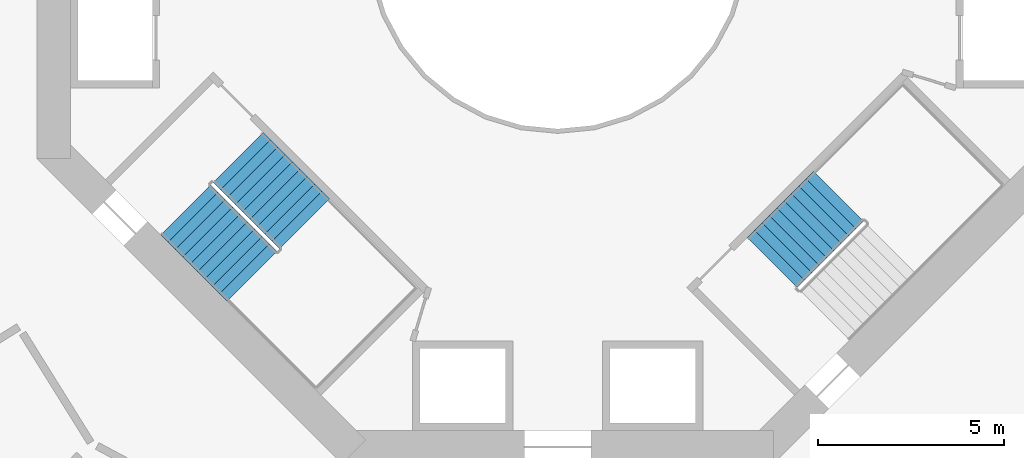
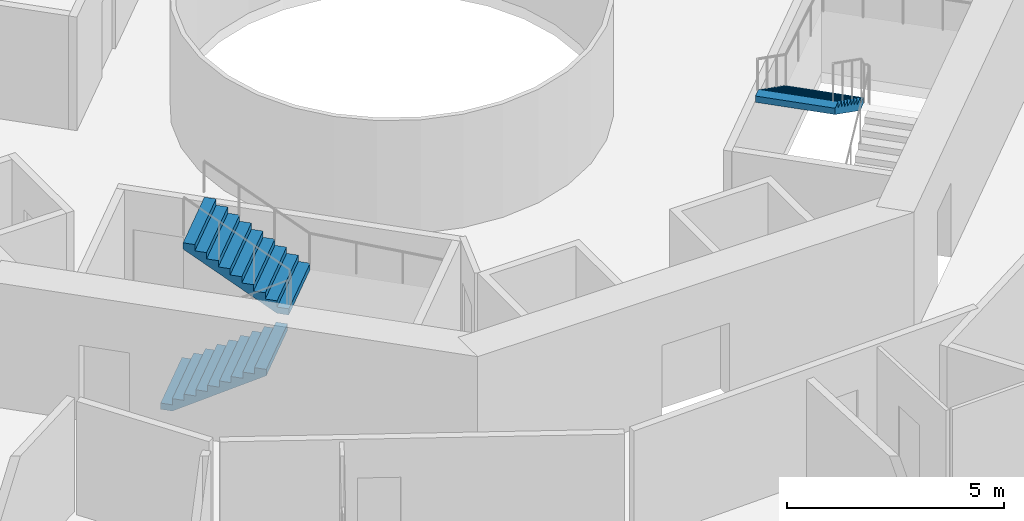
# One storey, part 25 of 27: 3 stair flights, 2 elements without a shape of their own.
"""IFC4 building model written with IfcOpenShell, lengths in metres."""

from ifc_helpers import new_model, si_unit, direction, frame, origin, place, context, subcontext, project, spatial, triangles, material, type_object, element, aggregate, save


model = new_model("IFC4")

# Units and contexts
model_context = context("Model", 3, precision=1e-05, world=origin(), true_north=direction((0.0, 1.0)))
body_context = subcontext(model_context, "Body", "Model", "MODEL_VIEW")
ifc_project = project(units=[si_unit("LENGTHUNIT", "METRE"), si_unit("AREAUNIT", "SQUARE_METRE"), si_unit("VOLUMEUNIT", "CUBIC_METRE"), si_unit("PLANEANGLEUNIT", "RADIAN"), si_unit("MASSUNIT", "GRAM", prefix="KILO")], contexts=[model_context])

# Site, building, storey
site_placement = place(None, origin())
site = spatial("IfcSite", under=ifc_project, at=site_placement, CompositionType="ELEMENT")
building_placement = place(site_placement, origin())
building = spatial("IfcBuilding", under=site, at=building_placement, Name="Verdalira Terraces Hotel", CompositionType="ELEMENT")
storey_placement = place(building_placement, frame((0.0, 0.0, 42.5)))
storey = spatial("IfcBuildingStorey", under=building, at=storey_placement, Name="L08", CompositionType="ELEMENT", Elevation=42.5)

# Stair, stair flights
ifc_material_1 = material(Name="Concrete C40", Category="concrete")
stair_type = type_object("IfcStairType", Name="Core stair 20 risers 1900 mm wide", PredefinedType="HALF_TURN_STAIR", material=ifc_material_1)
stair_1_placement = place(storey_placement, origin())
stair_1 = element("IfcStair", 1, at=stair_1_placement, inside=storey, type_object=stair_type, Name="L08 Exit stair ST2", PredefinedType="HALF_TURN_STAIR")
ifc_material_2 = material(Name="Concrete C40", Category="concrete")
stair_flight_type = type_object("IfcStairFlightType", Name="Core stair flight 20 risers 1900 mm wide", PredefinedType="STRAIGHT", material=ifc_material_2)
stair_flight_1_placement = place(storey_placement, frame((-10.005615, -7.177246, 0.0), z_axis=(0.0, 0.0, 1.0), x_axis=(0.707106781, -0.707106781, 0.0)))
stair_flight_1 = element("IfcStairFlight", 2, at=stair_flight_1_placement, type_object=stair_flight_type, Name="ST2 flight 1", NumberOfRisers=10, NumberOfTreads=9, PredefinedType="STRAIGHT", RiserHeight=0.175, TreadLength=0.28, context=body_context, shape_type="Tessellation", body=[
    triangles([(0.0, 0.949951, 0.0), (0.282715, 0.949951, 0.0), (2.52002, 0.949951, 1.398193), (0.0, -0.949951, 0.0), (0.282715, -0.949951, 0.0), (2.52002, -0.949951, 1.398193), (2.52002, 0.949951, 1.574951), (2.23999, 0.949951, 1.574951), (2.52002, -0.949951, 1.574951), (2.23999, -0.949951, 1.574951), (2.23999, 0.949951, 1.399902), (2.23999, -0.949951, 1.399902), (1.959961, 0.949951, 1.399902), (1.959961, -0.949951, 1.399902), (1.959961, 0.949951, 1.225098), (1.959961, -0.949951, 1.225098), (1.679932, 0.949951, 1.225098), (1.679932, 0.949951, 1.050049), (1.679932, -0.949951, 1.225098), (1.679932, -0.949951, 1.050049), (1.399902, 0.949951, 1.050049), (1.399902, 0.949951, 0.875), (1.399902, -0.949951, 1.050049), (1.399902, -0.949951, 0.875), (1.120117, 0.949951, 0.875), (1.120117, 0.949951, 0.699951), (1.120117, -0.949951, 0.875), (1.120117, -0.949951, 0.699951), (0.840088, 0.949951, 0.699951), (0.840088, 0.949951, 0.524902), (0.840088, -0.949951, 0.699951), (0.840088, -0.949951, 0.524902), (0.560059, 0.949951, 0.524902), (0.560059, 0.949951, 0.350098), (0.560059, -0.949951, 0.524902), (0.560059, -0.949951, 0.350098), (0.280029, 0.949951, 0.350098), (0.280029, 0.949951, 0.175049), (0.280029, -0.949951, 0.350098), (0.280029, -0.949951, 0.175049), (0.0, 0.949951, 0.175049), (0.0, -0.949951, 0.175049), (0.0, -0.890579, 0.0), (0.0, -0.890579, 0.175049), (0.0, -0.831207, 0.0), (0.0, -0.831207, 0.175049), (0.0, -0.771835, 0.0), (0.0, -0.771835, 0.175049), (0.0, -0.712463, 0.0), (0.0, -0.712463, 0.175049), (0.0, -0.653091, 0.0), (0.0, -0.653091, 0.175049), (0.0, -0.593719, 0.0), (0.0, -0.593719, 0.175049), (0.0, -0.534348, 0.0), (0.0, -0.534348, 0.175049), (0.0, -0.474976, 0.0), (0.0, -0.474976, 0.175049), (0.0, -0.415604, 0.0), (0.0, -0.415604, 0.175049), (0.0, -0.356232, 0.0), (0.0, -0.356232, 0.175049), (0.0, -0.29686, 0.0), (0.0, -0.29686, 0.175049), (0.0, -0.237488, 0.0), (0.0, -0.237488, 0.175049), (0.0, -0.178116, 0.0), (0.0, -0.178116, 0.175049), (0.0, -0.118744, 0.0), (0.0, -0.118744, 0.175049), (0.0, -0.059372, 0.0), (0.0, -0.059372, 0.175049), (0.0, 0.0, 0.0), (0.0, 0.0, 0.175049), (0.0, 0.059372, 0.0), (0.0, 0.059372, 0.175049), (0.0, 0.118744, 0.0), (0.0, 0.118744, 0.175049), (0.0, 0.178116, 0.0), (0.0, 0.178116, 0.175049), (0.0, 0.237488, 0.0), (0.0, 0.237488, 0.175049), (0.0, 0.29686, 0.0), (0.0, 0.29686, 0.175049), (0.0, 0.356232, 0.0), (0.0, 0.356232, 0.175049), (0.0, 0.415604, 0.0), (0.0, 0.415604, 0.175049), (0.0, 0.474976, 0.0), (0.0, 0.474976, 0.175049), (0.0, 0.534348, 0.0), (0.0, 0.534348, 0.175049), (0.0, 0.593719, 0.0), (0.0, 0.593719, 0.175049), (0.0, 0.653091, 0.0), (0.0, 0.653091, 0.175049), (0.0, 0.712463, 0.0), (0.0, 0.712463, 0.175049), (0.0, 0.771835, 0.0), (0.0, 0.771835, 0.175049), (0.0, 0.831207, 0.0), (0.0, 0.831207, 0.175049), (0.0, 0.890579, 0.0), (0.0, 0.890579, 0.175049), (2.52002, -0.890579, 1.574951), (2.52002, -0.831207, 1.574951), (2.52002, -0.771835, 1.574951), (2.52002, -0.712463, 1.574951), (2.52002, -0.653091, 1.574951), (2.52002, -0.593719, 1.574951), (2.52002, -0.534348, 1.574951), (2.52002, -0.474976, 1.574951), (2.52002, -0.415604, 1.574951), (2.52002, -0.356232, 1.574951), (2.52002, -0.29686, 1.574951), (2.52002, -0.237488, 1.574951), (2.52002, -0.178116, 1.574951), (2.52002, -0.118744, 1.574951), (2.52002, -0.059372, 1.574951), (2.52002, 0.0, 1.574951), (2.52002, 0.059372, 1.574951), (2.52002, 0.118744, 1.574951), (2.52002, 0.178116, 1.574951), (2.52002, 0.237488, 1.574951), (2.52002, 0.29686, 1.574951), (2.52002, 0.356232, 1.574951), (2.52002, 0.415604, 1.574951), (2.52002, 0.474976, 1.574951), (2.52002, 0.534348, 1.574951), (2.52002, 0.593719, 1.574951), (2.52002, 0.653091, 1.574951), (2.52002, 0.712463, 1.574951), (2.52002, 0.771835, 1.574951), (2.52002, 0.831207, 1.574951), (2.52002, 0.890579, 1.574951), (2.52002, -0.890579, 1.398193), (2.52002, -0.831207, 1.398193), (2.52002, -0.771835, 1.398193), (2.52002, -0.712463, 1.398193), (2.52002, -0.653091, 1.398193), (2.52002, -0.593719, 1.398193), (2.52002, -0.534348, 1.398193), (2.52002, -0.474976, 1.398193), (2.52002, -0.415604, 1.398193), (2.52002, -0.356232, 1.398193), (2.52002, -0.29686, 1.398193), (2.52002, -0.237488, 1.398193), (2.52002, -0.178116, 1.398193), (2.52002, -0.118744, 1.398193), (2.52002, -0.059372, 1.398193), (2.52002, 0.0, 1.398193), (2.52002, 0.059372, 1.398193), (2.52002, 0.118744, 1.398193), (2.52002, 0.178116, 1.398193), (2.52002, 0.237488, 1.398193), (2.52002, 0.29686, 1.398193), (2.52002, 0.356232, 1.398193), (2.52002, 0.415604, 1.398193), (2.52002, 0.474976, 1.398193), (2.52002, 0.534348, 1.398193), (2.52002, 0.593719, 1.398193), (2.52002, 0.653091, 1.398193), (2.52002, 0.712463, 1.398193), (2.52002, 0.771835, 1.398193), (2.52002, 0.831207, 1.398193), (2.52002, 0.890579, 1.398193)], [[1, 3, 2], [4, 5, 6], [3, 8, 7], [6, 9, 10], [3, 11, 8], [6, 10, 12], [3, 13, 11], [6, 12, 14], [3, 15, 13], [6, 14, 16], [15, 18, 17], [16, 19, 20], [3, 18, 15], [6, 16, 20], [18, 22, 21], [20, 23, 24], [3, 22, 18], [6, 20, 24], [22, 26, 25], [24, 27, 28], [3, 26, 22], [6, 24, 28], [26, 30, 29], [28, 31, 32], [3, 30, 26], [6, 28, 32], [1, 30, 3], [4, 6, 32], [30, 34, 33], [32, 35, 36], [34, 38, 37], [36, 39, 40], [30, 38, 34], [32, 36, 40], [1, 38, 30], [4, 32, 40], [38, 1, 41], [40, 42, 4], [4, 44, 43], [4, 42, 44], [43, 46, 45], [43, 44, 46], [45, 48, 47], [45, 46, 48], [47, 50, 49], [47, 48, 50], [49, 52, 51], [49, 50, 52], [51, 54, 53], [51, 52, 54], [53, 56, 55], [53, 54, 56], [55, 58, 57], [55, 56, 58], [57, 60, 59], [57, 58, 60], [59, 62, 61], [59, 60, 62], [61, 64, 63], [61, 62, 64], [63, 66, 65], [63, 64, 66], [65, 68, 67], [65, 66, 68], [67, 70, 69], [67, 68, 70], [69, 72, 71], [69, 70, 72], [71, 74, 73], [71, 72, 74], [73, 76, 75], [73, 74, 76], [75, 78, 77], [75, 76, 78], [77, 80, 79], [77, 78, 80], [79, 82, 81], [79, 80, 82], [81, 84, 83], [81, 82, 84], [83, 86, 85], [83, 84, 86], [85, 88, 87], [85, 86, 88], [87, 90, 89], [87, 88, 90], [89, 92, 91], [89, 90, 92], [91, 94, 93], [91, 92, 94], [93, 96, 95], [93, 94, 96], [95, 98, 97], [95, 96, 98], [97, 100, 99], [97, 98, 100], [99, 102, 101], [99, 100, 102], [101, 104, 103], [101, 102, 104], [103, 41, 1], [103, 104, 41], [42, 40, 44], [44, 40, 46], [46, 40, 48], [48, 40, 50], [50, 40, 52], [52, 40, 54], [54, 40, 56], [56, 40, 58], [58, 40, 60], [60, 40, 62], [62, 40, 64], [64, 40, 66], [66, 40, 68], [68, 40, 70], [70, 40, 72], [72, 40, 74], [74, 40, 76], [76, 40, 78], [78, 40, 80], [80, 40, 82], [82, 40, 84], [84, 40, 86], [86, 40, 88], [88, 40, 90], [90, 40, 92], [92, 40, 94], [94, 40, 96], [96, 40, 98], [98, 40, 100], [100, 40, 102], [102, 40, 104], [104, 40, 41], [41, 40, 38], [40, 37, 38], [40, 39, 37], [39, 34, 37], [39, 36, 34], [36, 33, 34], [36, 35, 33], [35, 30, 33], [35, 32, 30], [32, 29, 30], [32, 31, 29], [31, 26, 29], [31, 28, 26], [28, 25, 26], [28, 27, 25], [27, 22, 25], [27, 24, 22], [24, 21, 22], [24, 23, 21], [23, 18, 21], [23, 20, 18], [20, 17, 18], [20, 19, 17], [19, 15, 17], [19, 16, 15], [16, 13, 15], [16, 14, 13], [14, 11, 13], [14, 12, 11], [12, 8, 11], [12, 10, 8], [9, 105, 10], [105, 106, 10], [106, 107, 10], [107, 108, 10], [108, 109, 10], [109, 110, 10], [110, 111, 10], [111, 112, 10], [112, 113, 10], [113, 114, 10], [114, 115, 10], [115, 116, 10], [116, 117, 10], [117, 118, 10], [118, 119, 10], [119, 120, 10], [120, 121, 10], [121, 122, 10], [122, 123, 10], [123, 124, 10], [124, 125, 10], [125, 126, 10], [126, 127, 10], [127, 128, 10], [128, 129, 10], [129, 130, 10], [130, 131, 10], [131, 132, 10], [132, 133, 10], [133, 134, 10], [134, 135, 10], [135, 7, 10], [7, 8, 10], [9, 136, 105], [9, 6, 136], [105, 137, 106], [105, 136, 137], [106, 138, 107], [106, 137, 138], [107, 139, 108], [107, 138, 139], [108, 140, 109], [108, 139, 140], [109, 141, 110], [109, 140, 141], [110, 142, 111], [110, 141, 142], [111, 143, 112], [111, 142, 143], [112, 144, 113], [112, 143, 144], [113, 145, 114], [113, 144, 145], [114, 146, 115], [114, 145, 146], [115, 147, 116], [115, 146, 147], [116, 148, 117], [116, 147, 148], [117, 149, 118], [117, 148, 149], [118, 150, 119], [118, 149, 150], [119, 151, 120], [119, 150, 151], [120, 152, 121], [120, 151, 152], [121, 153, 122], [121, 152, 153], [122, 154, 123], [122, 153, 154], [123, 155, 124], [123, 154, 155], [124, 156, 125], [124, 155, 156], [125, 157, 126], [125, 156, 157], [126, 158, 127], [126, 157, 158], [127, 159, 128], [127, 158, 159], [128, 160, 129], [128, 159, 160], [129, 161, 130], [129, 160, 161], [130, 162, 131], [130, 161, 162], [131, 163, 132], [131, 162, 163], [132, 164, 133], [132, 163, 164], [133, 165, 134], [133, 164, 165], [134, 166, 135], [134, 165, 166], [135, 3, 7], [135, 166, 3], [6, 5, 136], [136, 5, 137], [137, 5, 138], [138, 5, 139], [139, 5, 140], [140, 5, 141], [141, 5, 142], [142, 5, 143], [143, 5, 144], [144, 5, 145], [145, 5, 146], [146, 5, 147], [147, 5, 148], [148, 5, 149], [149, 5, 150], [150, 5, 151], [151, 5, 152], [152, 5, 153], [153, 5, 154], [154, 5, 155], [155, 5, 156], [156, 5, 157], [157, 5, 158], [158, 5, 159], [159, 5, 160], [160, 5, 161], [161, 5, 162], [162, 5, 163], [163, 5, 164], [164, 5, 165], [165, 5, 166], [166, 5, 3], [3, 5, 2], [4, 43, 5], [43, 45, 5], [45, 47, 5], [47, 49, 5], [49, 51, 5], [51, 53, 5], [53, 55, 5], [55, 57, 5], [57, 59, 5], [59, 61, 5], [61, 63, 5], [63, 65, 5], [65, 67, 5], [67, 69, 5], [69, 71, 5], [71, 73, 5], [73, 75, 5], [75, 77, 5], [77, 79, 5], [79, 81, 5], [81, 83, 5], [83, 85, 5], [85, 87, 5], [87, 89, 5], [89, 91, 5], [91, 93, 5], [93, 95, 5], [95, 97, 5], [97, 99, 5], [99, 101, 5], [101, 103, 5], [103, 1, 5], [1, 2, 5]], closed=True),
])
stair_flight_2_placement = place(storey_placement, frame((-6.809326, -7.544922, 1.75), z_axis=(0.0, 0.0, 1.0), x_axis=(-0.707106781, 0.707106781, 0.0)))
stair_flight_2 = element("IfcStairFlight", 3, at=stair_flight_2_placement, type_object=stair_flight_type, Name="ST2 flight 2", NumberOfRisers=10, NumberOfTreads=9, PredefinedType="STRAIGHT", RiserHeight=0.175, TreadLength=0.28, context=body_context, shape_type="Tessellation", body=[
    triangles([(0.0, 0.949951, 0.0), (0.282715, 0.949951, 0.0), (2.52002, 0.949951, 1.398193), (0.0, -0.949951, 0.0), (0.282715, -0.949951, 0.0), (2.52002, -0.949951, 1.398193), (2.52002, 0.949951, 1.574951), (2.23999, 0.949951, 1.574951), (2.52002, -0.949951, 1.574951), (2.23999, -0.949951, 1.574951), (2.23999, 0.949951, 1.399902), (2.23999, -0.949951, 1.399902), (1.959961, 0.949951, 1.399902), (1.959961, -0.949951, 1.399902), (1.959961, 0.949951, 1.225098), (1.959961, -0.949951, 1.225098), (1.679932, 0.949951, 1.225098), (1.679932, 0.949951, 1.050049), (1.679932, -0.949951, 1.225098), (1.679932, -0.949951, 1.050049), (1.399902, 0.949951, 1.050049), (1.399902, 0.949951, 0.875), (1.399902, -0.949951, 1.050049), (1.399902, -0.949951, 0.875), (1.120117, 0.949951, 0.875), (1.120117, 0.949951, 0.699951), (1.120117, -0.949951, 0.875), (1.120117, -0.949951, 0.699951), (0.840088, 0.949951, 0.699951), (0.840088, 0.949951, 0.524902), (0.840088, -0.949951, 0.699951), (0.840088, -0.949951, 0.524902), (0.560059, 0.949951, 0.524902), (0.560059, 0.949951, 0.350098), (0.560059, -0.949951, 0.524902), (0.560059, -0.949951, 0.350098), (0.280029, 0.949951, 0.350098), (0.280029, 0.949951, 0.175049), (0.280029, -0.949951, 0.350098), (0.280029, -0.949951, 0.175049), (0.0, 0.949951, 0.175049), (0.0, -0.949951, 0.175049), (0.0, -0.890579, 0.0), (0.0, -0.890579, 0.175049), (0.0, -0.831207, 0.0), (0.0, -0.831207, 0.175049), (0.0, -0.771835, 0.0), (0.0, -0.771835, 0.175049), (0.0, -0.712463, 0.0), (0.0, -0.712463, 0.175049), (0.0, -0.653091, 0.0), (0.0, -0.653091, 0.175049), (0.0, -0.593719, 0.0), (0.0, -0.593719, 0.175049), (0.0, -0.534348, 0.0), (0.0, -0.534348, 0.175049), (0.0, -0.474976, 0.0), (0.0, -0.474976, 0.175049), (0.0, -0.415604, 0.0), (0.0, -0.415604, 0.175049), (0.0, -0.356232, 0.0), (0.0, -0.356232, 0.175049), (0.0, -0.29686, 0.0), (0.0, -0.29686, 0.175049), (0.0, -0.237488, 0.0), (0.0, -0.237488, 0.175049), (0.0, -0.178116, 0.0), (0.0, -0.178116, 0.175049), (0.0, -0.118744, 0.0), (0.0, -0.118744, 0.175049), (0.0, -0.059372, 0.0), (0.0, -0.059372, 0.175049), (0.0, 0.0, 0.0), (0.0, 0.0, 0.175049), (0.0, 0.059372, 0.0), (0.0, 0.059372, 0.175049), (0.0, 0.118744, 0.0), (0.0, 0.118744, 0.175049), (0.0, 0.178116, 0.0), (0.0, 0.178116, 0.175049), (0.0, 0.237488, 0.0), (0.0, 0.237488, 0.175049), (0.0, 0.29686, 0.0), (0.0, 0.29686, 0.175049), (0.0, 0.356232, 0.0), (0.0, 0.356232, 0.175049), (0.0, 0.415604, 0.0), (0.0, 0.415604, 0.175049), (0.0, 0.474976, 0.0), (0.0, 0.474976, 0.175049), (0.0, 0.534348, 0.0), (0.0, 0.534348, 0.175049), (0.0, 0.593719, 0.0), (0.0, 0.593719, 0.175049), (0.0, 0.653091, 0.0), (0.0, 0.653091, 0.175049), (0.0, 0.712463, 0.0), (0.0, 0.712463, 0.175049), (0.0, 0.771835, 0.0), (0.0, 0.771835, 0.175049), (0.0, 0.831207, 0.0), (0.0, 0.831207, 0.175049), (0.0, 0.890579, 0.0), (0.0, 0.890579, 0.175049), (2.52002, -0.890579, 1.574951), (2.52002, -0.831207, 1.574951), (2.52002, -0.771835, 1.574951), (2.52002, -0.712463, 1.574951), (2.52002, -0.653091, 1.574951), (2.52002, -0.593719, 1.574951), (2.52002, -0.534348, 1.574951), (2.52002, -0.474976, 1.574951), (2.52002, -0.415604, 1.574951), (2.52002, -0.356232, 1.574951), (2.52002, -0.29686, 1.574951), (2.52002, -0.237488, 1.574951), (2.52002, -0.178116, 1.574951), (2.52002, -0.118744, 1.574951), (2.52002, -0.059372, 1.574951), (2.52002, 0.0, 1.574951), (2.52002, 0.059372, 1.574951), (2.52002, 0.118744, 1.574951), (2.52002, 0.178116, 1.574951), (2.52002, 0.237488, 1.574951), (2.52002, 0.29686, 1.574951), (2.52002, 0.356232, 1.574951), (2.52002, 0.415604, 1.574951), (2.52002, 0.474976, 1.574951), (2.52002, 0.534348, 1.574951), (2.52002, 0.593719, 1.574951), (2.52002, 0.653091, 1.574951), (2.52002, 0.712463, 1.574951), (2.52002, 0.771835, 1.574951), (2.52002, 0.831207, 1.574951), (2.52002, 0.890579, 1.574951), (2.52002, -0.890579, 1.398193), (2.52002, -0.831207, 1.398193), (2.52002, -0.771835, 1.398193), (2.52002, -0.712463, 1.398193), (2.52002, -0.653091, 1.398193), (2.52002, -0.593719, 1.398193), (2.52002, -0.534348, 1.398193), (2.52002, -0.474976, 1.398193), (2.52002, -0.415604, 1.398193), (2.52002, -0.356232, 1.398193), (2.52002, -0.29686, 1.398193), (2.52002, -0.237488, 1.398193), (2.52002, -0.178116, 1.398193), (2.52002, -0.118744, 1.398193), (2.52002, -0.059372, 1.398193), (2.52002, 0.0, 1.398193), (2.52002, 0.059372, 1.398193), (2.52002, 0.118744, 1.398193), (2.52002, 0.178116, 1.398193), (2.52002, 0.237488, 1.398193), (2.52002, 0.29686, 1.398193), (2.52002, 0.356232, 1.398193), (2.52002, 0.415604, 1.398193), (2.52002, 0.474976, 1.398193), (2.52002, 0.534348, 1.398193), (2.52002, 0.593719, 1.398193), (2.52002, 0.653091, 1.398193), (2.52002, 0.712463, 1.398193), (2.52002, 0.771835, 1.398193), (2.52002, 0.831207, 1.398193), (2.52002, 0.890579, 1.398193)], [[1, 3, 2], [4, 5, 6], [3, 8, 7], [6, 9, 10], [3, 11, 8], [6, 10, 12], [3, 13, 11], [6, 12, 14], [3, 15, 13], [6, 14, 16], [15, 18, 17], [16, 19, 20], [3, 18, 15], [6, 16, 20], [18, 22, 21], [20, 23, 24], [3, 22, 18], [6, 20, 24], [22, 26, 25], [24, 27, 28], [3, 26, 22], [6, 24, 28], [26, 30, 29], [28, 31, 32], [3, 30, 26], [6, 28, 32], [1, 30, 3], [4, 6, 32], [30, 34, 33], [32, 35, 36], [34, 38, 37], [36, 39, 40], [30, 38, 34], [32, 36, 40], [1, 38, 30], [4, 32, 40], [38, 1, 41], [40, 42, 4], [4, 44, 43], [4, 42, 44], [43, 46, 45], [43, 44, 46], [45, 48, 47], [45, 46, 48], [47, 50, 49], [47, 48, 50], [49, 52, 51], [49, 50, 52], [51, 54, 53], [51, 52, 54], [53, 56, 55], [53, 54, 56], [55, 58, 57], [55, 56, 58], [57, 60, 59], [57, 58, 60], [59, 62, 61], [59, 60, 62], [61, 64, 63], [61, 62, 64], [63, 66, 65], [63, 64, 66], [65, 68, 67], [65, 66, 68], [67, 70, 69], [67, 68, 70], [69, 72, 71], [69, 70, 72], [71, 74, 73], [71, 72, 74], [73, 76, 75], [73, 74, 76], [75, 78, 77], [75, 76, 78], [77, 80, 79], [77, 78, 80], [79, 82, 81], [79, 80, 82], [81, 84, 83], [81, 82, 84], [83, 86, 85], [83, 84, 86], [85, 88, 87], [85, 86, 88], [87, 90, 89], [87, 88, 90], [89, 92, 91], [89, 90, 92], [91, 94, 93], [91, 92, 94], [93, 96, 95], [93, 94, 96], [95, 98, 97], [95, 96, 98], [97, 100, 99], [97, 98, 100], [99, 102, 101], [99, 100, 102], [101, 104, 103], [101, 102, 104], [103, 41, 1], [103, 104, 41], [42, 40, 44], [44, 40, 46], [46, 40, 48], [48, 40, 50], [50, 40, 52], [52, 40, 54], [54, 40, 56], [56, 40, 58], [58, 40, 60], [60, 40, 62], [62, 40, 64], [64, 40, 66], [66, 40, 68], [68, 40, 70], [70, 40, 72], [72, 40, 74], [74, 40, 76], [76, 40, 78], [78, 40, 80], [80, 40, 82], [82, 40, 84], [84, 40, 86], [86, 40, 88], [88, 40, 90], [90, 40, 92], [92, 40, 94], [94, 40, 96], [96, 40, 98], [98, 40, 100], [100, 40, 102], [102, 40, 104], [104, 40, 41], [41, 40, 38], [40, 37, 38], [40, 39, 37], [39, 34, 37], [39, 36, 34], [36, 33, 34], [36, 35, 33], [35, 30, 33], [35, 32, 30], [32, 29, 30], [32, 31, 29], [31, 26, 29], [31, 28, 26], [28, 25, 26], [28, 27, 25], [27, 22, 25], [27, 24, 22], [24, 21, 22], [24, 23, 21], [23, 18, 21], [23, 20, 18], [20, 17, 18], [20, 19, 17], [19, 15, 17], [19, 16, 15], [16, 13, 15], [16, 14, 13], [14, 11, 13], [14, 12, 11], [12, 8, 11], [12, 10, 8], [9, 105, 10], [105, 106, 10], [106, 107, 10], [107, 108, 10], [108, 109, 10], [109, 110, 10], [110, 111, 10], [111, 112, 10], [112, 113, 10], [113, 114, 10], [114, 115, 10], [115, 116, 10], [116, 117, 10], [117, 118, 10], [118, 119, 10], [119, 120, 10], [120, 121, 10], [121, 122, 10], [122, 123, 10], [123, 124, 10], [124, 125, 10], [125, 126, 10], [126, 127, 10], [127, 128, 10], [128, 129, 10], [129, 130, 10], [130, 131, 10], [131, 132, 10], [132, 133, 10], [133, 134, 10], [134, 135, 10], [135, 7, 10], [7, 8, 10], [9, 136, 105], [9, 6, 136], [105, 137, 106], [105, 136, 137], [106, 138, 107], [106, 137, 138], [107, 139, 108], [107, 138, 139], [108, 140, 109], [108, 139, 140], [109, 141, 110], [109, 140, 141], [110, 142, 111], [110, 141, 142], [111, 143, 112], [111, 142, 143], [112, 144, 113], [112, 143, 144], [113, 145, 114], [113, 144, 145], [114, 146, 115], [114, 145, 146], [115, 147, 116], [115, 146, 147], [116, 148, 117], [116, 147, 148], [117, 149, 118], [117, 148, 149], [118, 150, 119], [118, 149, 150], [119, 151, 120], [119, 150, 151], [120, 152, 121], [120, 151, 152], [121, 153, 122], [121, 152, 153], [122, 154, 123], [122, 153, 154], [123, 155, 124], [123, 154, 155], [124, 156, 125], [124, 155, 156], [125, 157, 126], [125, 156, 157], [126, 158, 127], [126, 157, 158], [127, 159, 128], [127, 158, 159], [128, 160, 129], [128, 159, 160], [129, 161, 130], [129, 160, 161], [130, 162, 131], [130, 161, 162], [131, 163, 132], [131, 162, 163], [132, 164, 133], [132, 163, 164], [133, 165, 134], [133, 164, 165], [134, 166, 135], [134, 165, 166], [135, 3, 7], [135, 166, 3], [6, 5, 136], [136, 5, 137], [137, 5, 138], [138, 5, 139], [139, 5, 140], [140, 5, 141], [141, 5, 142], [142, 5, 143], [143, 5, 144], [144, 5, 145], [145, 5, 146], [146, 5, 147], [147, 5, 148], [148, 5, 149], [149, 5, 150], [150, 5, 151], [151, 5, 152], [152, 5, 153], [153, 5, 154], [154, 5, 155], [155, 5, 156], [156, 5, 157], [157, 5, 158], [158, 5, 159], [159, 5, 160], [160, 5, 161], [161, 5, 162], [162, 5, 163], [163, 5, 164], [164, 5, 165], [165, 5, 166], [166, 5, 3], [3, 5, 2], [4, 43, 5], [43, 45, 5], [45, 47, 5], [47, 49, 5], [49, 51, 5], [51, 53, 5], [53, 55, 5], [55, 57, 5], [57, 59, 5], [59, 61, 5], [61, 63, 5], [63, 65, 5], [65, 67, 5], [67, 69, 5], [69, 71, 5], [71, 73, 5], [73, 75, 5], [75, 77, 5], [77, 79, 5], [79, 81, 5], [81, 83, 5], [83, 85, 5], [85, 87, 5], [87, 89, 5], [89, 91, 5], [91, 93, 5], [93, 95, 5], [95, 97, 5], [97, 99, 5], [99, 101, 5], [101, 103, 5], [103, 1, 5], [1, 2, 5]], closed=True),
])
aggregate(stair_1, [stair_flight_1, stair_flight_2])

# Stair, stair flight
stair_2_placement = place(storey_placement, origin())
stair_2 = element("IfcStair", 4, at=stair_2_placement, inside=storey, type_object=stair_type, Name="L08 Exit stair ST3", PredefinedType="HALF_TURN_STAIR")
stair_flight_3_placement = place(storey_placement, frame((7.544922, -6.809326, 1.75), z_axis=(0.0, 0.0, 1.0), x_axis=(-0.707106781, -0.707106781, 0.0)))
stair_flight_3 = element("IfcStairFlight", 5, at=stair_flight_3_placement, type_object=stair_flight_type, Name="ST3 flight 2", NumberOfRisers=10, NumberOfTreads=9, PredefinedType="STRAIGHT", RiserHeight=0.175, TreadLength=0.28, context=body_context, shape_type="Tessellation", body=[
    triangles([(0.0, 0.949951, 0.0), (0.282715, 0.949951, 0.0), (2.52002, 0.949951, 1.398193), (0.0, -0.949951, 0.0), (0.282715, -0.949951, 0.0), (2.52002, -0.949951, 1.398193), (2.52002, 0.949951, 1.574951), (2.23999, 0.949951, 1.574951), (2.52002, -0.949951, 1.574951), (2.23999, -0.949951, 1.574951), (2.23999, 0.949951, 1.399902), (2.23999, -0.949951, 1.399902), (1.959961, 0.949951, 1.399902), (1.959961, -0.949951, 1.399902), (1.959961, 0.949951, 1.225098), (1.959961, -0.949951, 1.225098), (1.679932, 0.949951, 1.225098), (1.679932, 0.949951, 1.050049), (1.679932, -0.949951, 1.225098), (1.679932, -0.949951, 1.050049), (1.399902, 0.949951, 1.050049), (1.399902, 0.949951, 0.875), (1.399902, -0.949951, 1.050049), (1.399902, -0.949951, 0.875), (1.120117, 0.949951, 0.875), (1.120117, 0.949951, 0.699951), (1.120117, -0.949951, 0.875), (1.120117, -0.949951, 0.699951), (0.840088, 0.949951, 0.699951), (0.840088, 0.949951, 0.524902), (0.840088, -0.949951, 0.699951), (0.840088, -0.949951, 0.524902), (0.560059, 0.949951, 0.524902), (0.560059, 0.949951, 0.350098), (0.560059, -0.949951, 0.524902), (0.560059, -0.949951, 0.350098), (0.280029, 0.949951, 0.350098), (0.280029, 0.949951, 0.175049), (0.280029, -0.949951, 0.350098), (0.280029, -0.949951, 0.175049), (0.0, 0.949951, 0.175049), (0.0, -0.949951, 0.175049), (0.0, -0.890579, 0.0), (0.0, -0.890579, 0.175049), (0.0, -0.831207, 0.0), (0.0, -0.831207, 0.175049), (0.0, -0.771835, 0.0), (0.0, -0.771835, 0.175049), (0.0, -0.712463, 0.0), (0.0, -0.712463, 0.175049), (0.0, -0.653091, 0.0), (0.0, -0.653091, 0.175049), (0.0, -0.593719, 0.0), (0.0, -0.593719, 0.175049), (0.0, -0.534348, 0.0), (0.0, -0.534348, 0.175049), (0.0, -0.474976, 0.0), (0.0, -0.474976, 0.175049), (0.0, -0.415604, 0.0), (0.0, -0.415604, 0.175049), (0.0, -0.356232, 0.0), (0.0, -0.356232, 0.175049), (0.0, -0.29686, 0.0), (0.0, -0.29686, 0.175049), (0.0, -0.237488, 0.0), (0.0, -0.237488, 0.175049), (0.0, -0.178116, 0.0), (0.0, -0.178116, 0.175049), (0.0, -0.118744, 0.0), (0.0, -0.118744, 0.175049), (0.0, -0.059372, 0.0), (0.0, -0.059372, 0.175049), (0.0, 0.0, 0.0), (0.0, 0.0, 0.175049), (0.0, 0.059372, 0.0), (0.0, 0.059372, 0.175049), (0.0, 0.118744, 0.0), (0.0, 0.118744, 0.175049), (0.0, 0.178116, 0.0), (0.0, 0.178116, 0.175049), (0.0, 0.237488, 0.0), (0.0, 0.237488, 0.175049), (0.0, 0.29686, 0.0), (0.0, 0.29686, 0.175049), (0.0, 0.356232, 0.0), (0.0, 0.356232, 0.175049), (0.0, 0.415604, 0.0), (0.0, 0.415604, 0.175049), (0.0, 0.474976, 0.0), (0.0, 0.474976, 0.175049), (0.0, 0.534348, 0.0), (0.0, 0.534348, 0.175049), (0.0, 0.593719, 0.0), (0.0, 0.593719, 0.175049), (0.0, 0.653091, 0.0), (0.0, 0.653091, 0.175049), (0.0, 0.712463, 0.0), (0.0, 0.712463, 0.175049), (0.0, 0.771835, 0.0), (0.0, 0.771835, 0.175049), (0.0, 0.831207, 0.0), (0.0, 0.831207, 0.175049), (0.0, 0.890579, 0.0), (0.0, 0.890579, 0.175049), (2.52002, -0.890579, 1.574951), (2.52002, -0.831207, 1.574951), (2.52002, -0.771835, 1.574951), (2.52002, -0.712463, 1.574951), (2.52002, -0.653091, 1.574951), (2.52002, -0.593719, 1.574951), (2.52002, -0.534348, 1.574951), (2.52002, -0.474976, 1.574951), (2.52002, -0.415604, 1.574951), (2.52002, -0.356232, 1.574951), (2.52002, -0.29686, 1.574951), (2.52002, -0.237488, 1.574951), (2.52002, -0.178116, 1.574951), (2.52002, -0.118744, 1.574951), (2.52002, -0.059372, 1.574951), (2.52002, 0.0, 1.574951), (2.52002, 0.059372, 1.574951), (2.52002, 0.118744, 1.574951), (2.52002, 0.178116, 1.574951), (2.52002, 0.237488, 1.574951), (2.52002, 0.29686, 1.574951), (2.52002, 0.356232, 1.574951), (2.52002, 0.415604, 1.574951), (2.52002, 0.474976, 1.574951), (2.52002, 0.534348, 1.574951), (2.52002, 0.593719, 1.574951), (2.52002, 0.653091, 1.574951), (2.52002, 0.712463, 1.574951), (2.52002, 0.771835, 1.574951), (2.52002, 0.831207, 1.574951), (2.52002, 0.890579, 1.574951), (2.52002, -0.890579, 1.398193), (2.52002, -0.831207, 1.398193), (2.52002, -0.771835, 1.398193), (2.52002, -0.712463, 1.398193), (2.52002, -0.653091, 1.398193), (2.52002, -0.593719, 1.398193), (2.52002, -0.534348, 1.398193), (2.52002, -0.474976, 1.398193), (2.52002, -0.415604, 1.398193), (2.52002, -0.356232, 1.398193), (2.52002, -0.29686, 1.398193), (2.52002, -0.237488, 1.398193), (2.52002, -0.178116, 1.398193), (2.52002, -0.118744, 1.398193), (2.52002, -0.059372, 1.398193), (2.52002, 0.0, 1.398193), (2.52002, 0.059372, 1.398193), (2.52002, 0.118744, 1.398193), (2.52002, 0.178116, 1.398193), (2.52002, 0.237488, 1.398193), (2.52002, 0.29686, 1.398193), (2.52002, 0.356232, 1.398193), (2.52002, 0.415604, 1.398193), (2.52002, 0.474976, 1.398193), (2.52002, 0.534348, 1.398193), (2.52002, 0.593719, 1.398193), (2.52002, 0.653091, 1.398193), (2.52002, 0.712463, 1.398193), (2.52002, 0.771835, 1.398193), (2.52002, 0.831207, 1.398193), (2.52002, 0.890579, 1.398193)], [[1, 3, 2], [4, 5, 6], [3, 8, 7], [6, 9, 10], [3, 11, 8], [6, 10, 12], [3, 13, 11], [6, 12, 14], [3, 15, 13], [6, 14, 16], [15, 18, 17], [16, 19, 20], [3, 18, 15], [6, 16, 20], [18, 22, 21], [20, 23, 24], [3, 22, 18], [6, 20, 24], [22, 26, 25], [24, 27, 28], [3, 26, 22], [6, 24, 28], [26, 30, 29], [28, 31, 32], [3, 30, 26], [6, 28, 32], [1, 30, 3], [4, 6, 32], [30, 34, 33], [32, 35, 36], [34, 38, 37], [36, 39, 40], [30, 38, 34], [32, 36, 40], [1, 38, 30], [4, 32, 40], [38, 1, 41], [40, 42, 4], [4, 44, 43], [4, 42, 44], [43, 46, 45], [43, 44, 46], [45, 48, 47], [45, 46, 48], [47, 50, 49], [47, 48, 50], [49, 52, 51], [49, 50, 52], [51, 54, 53], [51, 52, 54], [53, 56, 55], [53, 54, 56], [55, 58, 57], [55, 56, 58], [57, 60, 59], [57, 58, 60], [59, 62, 61], [59, 60, 62], [61, 64, 63], [61, 62, 64], [63, 66, 65], [63, 64, 66], [65, 68, 67], [65, 66, 68], [67, 70, 69], [67, 68, 70], [69, 72, 71], [69, 70, 72], [71, 74, 73], [71, 72, 74], [73, 76, 75], [73, 74, 76], [75, 78, 77], [75, 76, 78], [77, 80, 79], [77, 78, 80], [79, 82, 81], [79, 80, 82], [81, 84, 83], [81, 82, 84], [83, 86, 85], [83, 84, 86], [85, 88, 87], [85, 86, 88], [87, 90, 89], [87, 88, 90], [89, 92, 91], [89, 90, 92], [91, 94, 93], [91, 92, 94], [93, 96, 95], [93, 94, 96], [95, 98, 97], [95, 96, 98], [97, 100, 99], [97, 98, 100], [99, 102, 101], [99, 100, 102], [101, 104, 103], [101, 102, 104], [103, 41, 1], [103, 104, 41], [42, 40, 44], [44, 40, 46], [46, 40, 48], [48, 40, 50], [50, 40, 52], [52, 40, 54], [54, 40, 56], [56, 40, 58], [58, 40, 60], [60, 40, 62], [62, 40, 64], [64, 40, 66], [66, 40, 68], [68, 40, 70], [70, 40, 72], [72, 40, 74], [74, 40, 76], [76, 40, 78], [78, 40, 80], [80, 40, 82], [82, 40, 84], [84, 40, 86], [86, 40, 88], [88, 40, 90], [90, 40, 92], [92, 40, 94], [94, 40, 96], [96, 40, 98], [98, 40, 100], [100, 40, 102], [102, 40, 104], [104, 40, 41], [41, 40, 38], [40, 37, 38], [40, 39, 37], [39, 34, 37], [39, 36, 34], [36, 33, 34], [36, 35, 33], [35, 30, 33], [35, 32, 30], [32, 29, 30], [32, 31, 29], [31, 26, 29], [31, 28, 26], [28, 25, 26], [28, 27, 25], [27, 22, 25], [27, 24, 22], [24, 21, 22], [24, 23, 21], [23, 18, 21], [23, 20, 18], [20, 17, 18], [20, 19, 17], [19, 15, 17], [19, 16, 15], [16, 13, 15], [16, 14, 13], [14, 11, 13], [14, 12, 11], [12, 8, 11], [12, 10, 8], [9, 105, 10], [105, 106, 10], [106, 107, 10], [107, 108, 10], [108, 109, 10], [109, 110, 10], [110, 111, 10], [111, 112, 10], [112, 113, 10], [113, 114, 10], [114, 115, 10], [115, 116, 10], [116, 117, 10], [117, 118, 10], [118, 119, 10], [119, 120, 10], [120, 121, 10], [121, 122, 10], [122, 123, 10], [123, 124, 10], [124, 125, 10], [125, 126, 10], [126, 127, 10], [127, 128, 10], [128, 129, 10], [129, 130, 10], [130, 131, 10], [131, 132, 10], [132, 133, 10], [133, 134, 10], [134, 135, 10], [135, 7, 10], [7, 8, 10], [9, 136, 105], [9, 6, 136], [105, 137, 106], [105, 136, 137], [106, 138, 107], [106, 137, 138], [107, 139, 108], [107, 138, 139], [108, 140, 109], [108, 139, 140], [109, 141, 110], [109, 140, 141], [110, 142, 111], [110, 141, 142], [111, 143, 112], [111, 142, 143], [112, 144, 113], [112, 143, 144], [113, 145, 114], [113, 144, 145], [114, 146, 115], [114, 145, 146], [115, 147, 116], [115, 146, 147], [116, 148, 117], [116, 147, 148], [117, 149, 118], [117, 148, 149], [118, 150, 119], [118, 149, 150], [119, 151, 120], [119, 150, 151], [120, 152, 121], [120, 151, 152], [121, 153, 122], [121, 152, 153], [122, 154, 123], [122, 153, 154], [123, 155, 124], [123, 154, 155], [124, 156, 125], [124, 155, 156], [125, 157, 126], [125, 156, 157], [126, 158, 127], [126, 157, 158], [127, 159, 128], [127, 158, 159], [128, 160, 129], [128, 159, 160], [129, 161, 130], [129, 160, 161], [130, 162, 131], [130, 161, 162], [131, 163, 132], [131, 162, 163], [132, 164, 133], [132, 163, 164], [133, 165, 134], [133, 164, 165], [134, 166, 135], [134, 165, 166], [135, 3, 7], [135, 166, 3], [6, 5, 136], [136, 5, 137], [137, 5, 138], [138, 5, 139], [139, 5, 140], [140, 5, 141], [141, 5, 142], [142, 5, 143], [143, 5, 144], [144, 5, 145], [145, 5, 146], [146, 5, 147], [147, 5, 148], [148, 5, 149], [149, 5, 150], [150, 5, 151], [151, 5, 152], [152, 5, 153], [153, 5, 154], [154, 5, 155], [155, 5, 156], [156, 5, 157], [157, 5, 158], [158, 5, 159], [159, 5, 160], [160, 5, 161], [161, 5, 162], [162, 5, 163], [163, 5, 164], [164, 5, 165], [165, 5, 166], [166, 5, 3], [3, 5, 2], [4, 43, 5], [43, 45, 5], [45, 47, 5], [47, 49, 5], [49, 51, 5], [51, 53, 5], [53, 55, 5], [55, 57, 5], [57, 59, 5], [59, 61, 5], [61, 63, 5], [63, 65, 5], [65, 67, 5], [67, 69, 5], [69, 71, 5], [71, 73, 5], [73, 75, 5], [75, 77, 5], [77, 79, 5], [79, 81, 5], [81, 83, 5], [83, 85, 5], [85, 87, 5], [87, 89, 5], [89, 91, 5], [91, 93, 5], [93, 95, 5], [95, 97, 5], [97, 99, 5], [99, 101, 5], [101, 103, 5], [103, 1, 5], [1, 2, 5]], closed=True),
])
aggregate(stair_2, [stair_flight_3])

save(model, "model.ifc")
